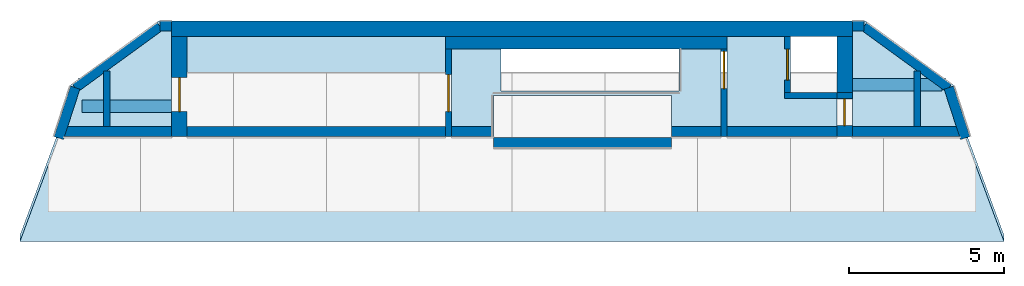
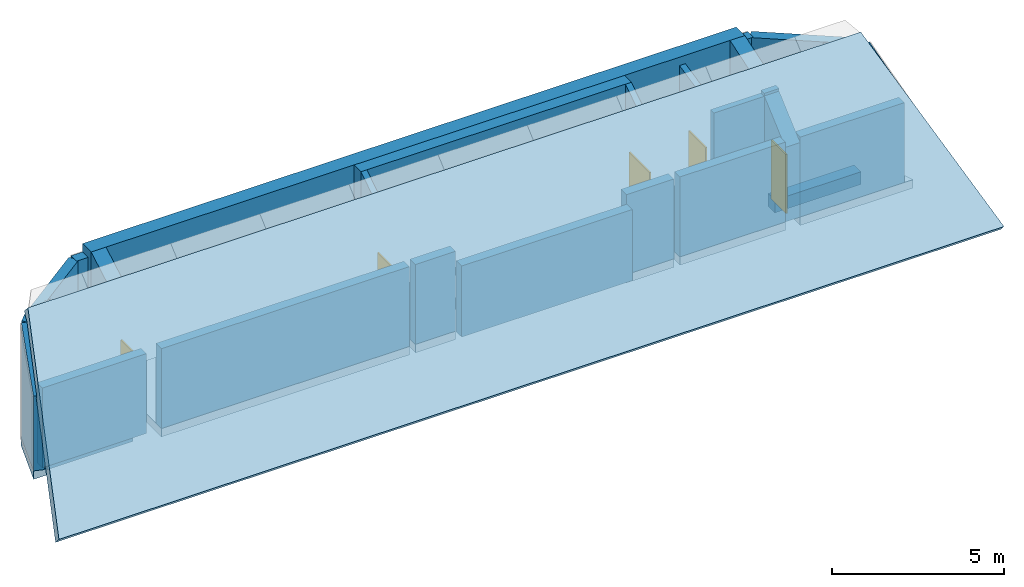
# One storey, part 1 of 2: 25 walls, 6 slabs, 5 doors, 2 beams, 5 openings.
"""IFC4 building model written with IfcOpenShell, lengths in metres."""

from ifc_helpers import new_model, si_unit, direction, frame, frame_2d, origin, origin_2d, place, context, subcontext, project, spatial, polyline, rectangle, outline, extrude, material, layer, layer_set, material_profile, profile_set, type_object, element, fill, save


model = new_model("IFC4")

# Units and contexts
model_context = context("Model", 3, precision=1e-05, world=origin(), true_north=direction((0.0, 1.0)))
body_context = subcontext(model_context, "Body", "Model", "MODEL_VIEW")
ifc_project = project(units=[si_unit("LENGTHUNIT", "METRE"), si_unit("AREAUNIT", "SQUARE_METRE"), si_unit("VOLUMEUNIT", "CUBIC_METRE"), si_unit("PLANEANGLEUNIT", "RADIAN"), si_unit("MASSUNIT", "GRAM", prefix="KILO")], contexts=[model_context])

# Site, building, storey
site_placement = place(None, origin())
site = spatial("IfcSite", under=ifc_project, at=site_placement, CompositionType="ELEMENT")
building_placement = place(site_placement, origin())
building = spatial("IfcBuilding", under=site, at=building_placement, Name="White Candle Pilgrim Tower", CompositionType="ELEMENT")
storey_placement = place(building_placement, frame((0.0, 0.0, 355.699951171875)))
storey = spatial("IfcBuildingStorey", under=building, at=storey_placement, Name="L83", CompositionType="ELEMENT", Elevation=355.699951171875)

# Beams
ifc_material_1 = material(Name="Concrete C50/60", Category="concrete")
ifc_material_profile = material_profile(ifc_material_1, rectangle(XDim=0.39990234375, YDim=0.449951171875, at=origin_2d()), Name="RC-BM 400x450")
ifc_profile_set = profile_set([ifc_material_profile], Name="Concrete C50/60")
beam_type = type_object("IfcBeamType", Name="Spandrel beam RC-BM 400x450 C50/60", PredefinedType="BEAM", material=ifc_profile_set)
for number, where, z_axis, x_axis, name in (
    (1, (59.0, 85.25, -0.52490234375), (-1.0, 0.0, 0.0), (0.0, -1.0, 0.0), "L83 bracket beam TR04"),
    (2, (81.0, 85.949951171875, -0.52490234375), (1.0, 0.0, 0.0), (0.0, 1.0, 0.0), "L83 bracket beam TR05"),
):
    element("IfcBeam", number, at=place(storey_placement, frame(where, z_axis=z_axis, x_axis=x_axis)), inside=storey, type_object=beam_type, Name=name, PredefinedType="BEAM", context=body_context, shape_type="SweptSolid", body=[
        extrude(rectangle(XDim=0.39990234375, YDim=0.449951171875, at=origin_2d()), origin(), (0.0, 0.0, 1.0), 2.89990234375),
    ])

# Slabs
ifc_material_2 = material(Name="Concrete C40/50", Category="concrete")
ifc_layer_1 = layer(ifc_material_2, 0.300048828125)
ifc_layer_set_1 = layer_set([ifc_layer_1], Name="Core floor slab 300 mm Concrete C40/50")
slab_type_1 = type_object("IfcSlabType", Name="Core floor slab 300 mm Concrete C40/50", PredefinedType="FLOOR", material=ifc_layer_set_1)
slab_1_placement = place(storey_placement, frame((0.0, 0.0, -0.300048828125)))
element("IfcSlab", 3, at=slab_1_placement, inside=storey, type_object=slab_type_1, Name="CF-L83-01", PredefinedType="FLOOR", context=body_context, shape_type="SweptSolid", body=[
    extrude(outline(polyline([(59.5, 84.27294921875), (59.5, 87.5), (67.85009765625, 87.5), (67.85009765625, 87.10009765625), (67.85009765625, 84.27294921875), (59.5, 84.27294921875)])), origin(), (0.0, 0.0, 1.0), 0.300048828125),
])
slab_2_placement = place(storey_placement, frame((0.0, 0.0, -0.300048828125)))
element("IfcSlab", 4, at=slab_2_placement, inside=storey, type_object=slab_type_1, Name="CF-L83-02", PredefinedType="FLOOR", context=body_context, shape_type="SweptSolid", body=[
    extrude(outline(polyline([(79.0, 87.5), (79.0, 85.699951171875), (80.5, 85.699951171875), (80.5, 85.5), (80.5, 84.27294921875), (76.949951171875, 84.27294921875), (76.949951171875, 87.10009765625), (76.949951171875, 87.5), (79.0, 87.5)])), origin(), (0.0, 0.0, 1.0), 0.300048828125),
])
slab_3_placement = place(storey_placement, frame((0.0, 0.0, -0.300048828125)))
element("IfcSlab", 5, at=slab_3_placement, inside=storey, type_object=slab_type_1, Name="CF-L83-03", PredefinedType="FLOOR", context=body_context, shape_type="SweptSolid", body=[
    extrude(outline(polyline([(75.14794921875, 84.27294921875), (75.14794921875, 85.597900390625), (69.402099609375, 85.597900390625), (69.402099609375, 84.27294921875), (68.050048828125, 84.27294921875), (68.050048828125, 87.10009765625), (76.75, 87.10009765625), (76.75, 84.27294921875), (75.14794921875, 84.27294921875)]), holes=[polyline([(75.39794921875, 85.751953125), (75.39794921875, 87.097900390625), (69.652099609375, 87.097900390625), (69.652099609375, 85.751953125), (75.39794921875, 85.751953125)])]), origin(), (0.0, 0.0, 1.0), 0.300048828125),
])
ifc_layer_2 = layer(ifc_material_2, 0.300048828125)
ifc_layer_set_2 = layer_set([ifc_layer_2], Name="Floor slab 300 REI 120")
slab_type_2 = type_object("IfcSlabType", Name="Floor slab 300 REI 120", PredefinedType="FLOOR", material=ifc_layer_set_2)
slab_4_placement = place(storey_placement, frame((0.0, 0.0, -0.300048828125)))
element("IfcSlab", 6, at=slab_4_placement, inside=storey, type_object=slab_type_2, Name="L83 floor slab", PredefinedType="FLOOR", context=body_context, shape_type="SweptSolid", body=[
    extrude(outline(polyline([(55.197998046875, 84.27294921875), (59.0, 84.27294921875), (59.0, 88.0), (58.56298828125, 88.0), (55.743408203125, 85.951416015625), (55.197998046875, 84.27294921875)])), origin(), (0.0, 0.0, 1.0), 0.300048828125),
])
slab_5_placement = place(storey_placement, frame((0.0, 0.0, -0.300048828125)))
element("IfcSlab", 7, at=slab_5_placement, inside=storey, type_object=slab_type_2, Name="L83 floor slab 2", PredefinedType="FLOOR", context=body_context, shape_type="SweptSolid", body=[
    extrude(outline(polyline([(81.0, 84.27294921875), (84.802001953125, 84.27294921875), (84.256591796875, 85.951416015625), (81.43701171875, 88.0), (81.0, 88.0), (81.0, 84.27294921875)])), origin(), (0.0, 0.0, 1.0), 0.300048828125),
])
ifc_layer_3 = layer(ifc_material_2, 0.300048828125)
ifc_layer_set_3 = layer_set([ifc_layer_3], Name="Roof slab 300 REI 120")
slab_type_3 = type_object("IfcSlabType", Name="Roof slab 300 REI 120", PredefinedType="ROOF", material=ifc_layer_set_3)
slab_6_placement = place(storey_placement, frame((54.120849609375, 80.948486328125, 0.056396484375), z_axis=(0.0, -0.662934835812, 0.748677102273), x_axis=(0.268789550375, 0.72112498338, 0.63853812412)))
element("IfcSlab", 8, at=slab_6_placement, inside=storey, type_object=slab_type_3, Name="Roof slab L83-01", PredefinedType="ROOF", context=body_context, shape_type="SweptSolid", body=[
    extrude(outline(polyline([(0.0, 0.0), (0.21708287875640542, -1.0408340855860843e-17), (0.4342761909681344, 0.00028428601345261567), (0.6516253962765723, 0.0006120754342405915), (0.8688843309371233, 0.0006612054590686561), (1.0860776431488521, 0.0009454914725212649), (1.3034924709061122, 0.0010381249046846897), (1.520685783117841, 0.0013224109181373123), (1.7377030394254245, 0.0015575669067618703), (1.9549619740859754, 0.0016066969315899349), (2.172311179394413, 0.00193448635237789), (2.3895701140549646, 0.00198361637720601), (2.6067634262666934, 0.0022679023906585494), (2.8241782540239533, 0.0023605358228219187), (3.0411955103315367, 0.0025956918114465877), (3.2583888225432656, 0.002879977824899127), (3.4758036503005254, 0.0029726112570626073), (3.6929969625122547, 0.0032568972705151467), (3.9102558971728056, 0.0033060272953432945), (4.127605102481244, 0.003633816716131222), (4.344864037141794, 0.003682946740959314), (4.561881293449378, 0.003918102729583928), (4.779472177110783, 0.0040598661865755), (4.9964894334183665, 0.004295022175199947), (5.213682745630096, 0.004579308188652487), (5.431097573387355, 0.004671941620815967), (5.648290885599085, 0.004956227634268506), (5.865484197810813, 0.005240513647721046), (6.082899025568073, 0.005333147079884526), (6.300092337779802, 0.005617433093337176), (6.517175216536208, 0.005617433093337287), (6.734524421844645, 0.005945222514125215), (6.951783356505196, 0.005994352538953196), (6.957508438019236, 0.006071178139313127), (14.491621787269729, -26.992187875847453), (14.486684175141553, -26.995086573311305), (14.300792771017903, -27.10754026589868), (14.114679851348725, -27.21980230590476), (13.92896450312922, -27.332206868467306), (13.743007476556752, -27.444425405066053), (13.556960179336393, -27.55692260106076), (13.371003152763924, -27.66914113765951), (13.185046126191452, -27.781359674258255), (12.998998828971093, -27.89385687025296), (12.813041802398622, -28.00607540685171), (12.627260831730297, -28.11824481342563), (12.441037478605793, -28.230791139445163), (12.25525650793747, -28.342960546019086), (12.06936510381382, -28.45541423860645), (11.883252184144641, -28.56767627861254), (11.697360780020992, -28.68012997119991), (11.511403753448523, -28.792348507798657), (11.325356456228164, -28.904845703793367), (11.139399429655693, -29.017064240392113), (10.953618458987366, -29.129233646966032), (10.767571161767009, -29.241730842960738), (10.581614135194538, -29.353949379559484), (10.395722731070888, -29.46640307214686), (10.20960981140171, -29.57866511215294), (10.02371840727806, -29.691118804740313), (9.837937436609737, -29.803288211314232), (9.651980410037265, -29.915506747912982), (9.46593311281691, -30.028003943907688), (9.279976086244435, -30.140222480506434), (9.094084682120789, -30.252676173093807), (8.907971762451607, -30.36493821309989), (8.722014735879137, -30.477156749698636), (8.536299387659634, -30.589561312261182), (8.460813302328944, -30.634959380718904), (-0.08808559550450881, -0.0002481186418055517), (0.0, 0.0)])), origin(), (0.0, 0.0, -1.0), 0.300048828125),
])

# Wall
ifc_layer_4 = layer(ifc_material_2, 0.199951171875)
ifc_layer_set_4 = layer_set([ifc_layer_4], Name="Core wall 200 mm Concrete C40/50")
wall_type_1 = type_object("IfcWallType", Name="Core wall 200 mm Concrete C40/50", PredefinedType="SHEAR", material=ifc_layer_set_4)
wall_1_placement = place(storey_placement, frame((80.5, 85.60009765625, 0.0), z_axis=(0.0, 0.0, 1.0), x_axis=(1.0, 0.0, 0.0)))
element("IfcWall", 9, at=wall_1_placement, inside=storey, type_object=wall_type_1, Name="WL-L83-C06", PredefinedType="SHEAR", context=body_context, shape_type="SweptSolid", body=[
    extrude(rectangle(XDim=0.5, YDim=0.199951171875, at=frame_2d((0.25, 0.0))), origin(), (0.0, 0.0, 1.0), 3.824951171875),
])

# Wall, opening, door
ifc_layer_5 = layer(ifc_material_2, 0.5)
ifc_layer_set_5 = layer_set([ifc_layer_5], Name="Core wall 500 mm Concrete C40/50")
wall_type_2 = type_object("IfcWallType", Name="Core wall 500 mm Concrete C40/50", PredefinedType="SHEAR", material=ifc_layer_set_5)
wall_2_placement = place(storey_placement, frame((59.25, 84.27294921875, 0.0), z_axis=(0.0, 0.0, 1.0), x_axis=(0.0, 1.0, 0.0)))
wall_2 = element("IfcWall", 10, at=wall_2_placement, inside=storey, type_object=wall_type_2, Name="WL-L83-C01", PredefinedType="SHEAR", context=body_context, shape_type="SweptSolid", body=[
    extrude(outline(polyline([(0.0, 0.0), (3.22705078125, 0.0), (3.22705078125, 4.5), (0.0, 2.650146484375), (0.0, 0.0)])), frame((0.0, 0.25, 0.0), z_axis=(0.0, -1.0, 0.0), x_axis=(1.0, 0.0, 0.0)), (0.0, 0.0, 1.0), 0.5),
])
opening_1_placement = place(wall_2_placement, frame((0.802001953125, 0.0, 0.0)))
opening_1 = element("IfcOpeningElement", 11, at=opening_1_placement, cuts=wall_2, Name="Opening L83-003", PredefinedType="OPENING", context=body_context, shape_type="SweptSolid", body=[
    extrude(rectangle(XDim=1.10009765625, YDim=2.10009765625, at=frame_2d((0.550048828125, 1.050048828125))), frame((0.0, 0.260009765625, 0.0), z_axis=(0.0, -1.0, 0.0), x_axis=(1.0, 0.0, 0.0)), (0.0, 0.0, 1.0), 0.52001953125),
])
ifc_material_3 = material(Name="Steel door leaf", Category="steel")
door_type_1 = type_object("IfcDoorType", Name="Fire door 1100 x 2100 EI 60", OperationType="NOTDEFINED", PredefinedType="DOOR", material=ifc_material_3)
door_1_placement = place(opening_1_placement, origin())
door_1 = element("IfcDoor", 12, at=door_1_placement, inside=storey, type_object=door_type_1, Name="Door L83-003", OperationType="SINGLE_SWING_RIGHT", OverallHeight=2.10009765625, OverallWidth=1.10009765625, PredefinedType="DOOR", context=body_context, shape_type="SweptSolid", body=[
    extrude(rectangle(XDim=1.10009765625, YDim=2.10009765625, at=frame_2d((0.550048828125, 1.050048828125))), frame((0.0, 0.02490234375, 0.0), z_axis=(0.0, -1.0, 0.0), x_axis=(1.0, 0.0, 0.0)), (0.0, 0.0, 1.0), 0.050048828125),
])
fill(opening_1, door_1)

wall_3_placement = place(storey_placement, frame((80.75, 84.27294921875, 0.0), z_axis=(0.0, 0.0, 1.0), x_axis=(0.0, 1.0, 0.0)))
wall_3 = element("IfcWall", 13, at=wall_3_placement, inside=storey, type_object=wall_type_2, Name="WL-L83-C04", PredefinedType="SHEAR", context=body_context, shape_type="SweptSolid", body=[
    extrude(outline(polyline([(0.0, 0.0), (1.22705078125, 0.0), (1.22705078125, 3.736328125), (0.0, 2.650146484375), (0.0, 0.0)])), frame((0.0, 0.25, 0.0), z_axis=(0.0, -1.0, 0.0), x_axis=(1.0, 0.0, 0.0)), (0.0, 0.0, 1.0), 0.5),
])
opening_2_placement = place(wall_3_placement, frame((0.35009765625, 0.0, 0.0)))
opening_2 = element("IfcOpeningElement", 14, at=opening_2_placement, cuts=wall_3, Name="Opening L83-004", PredefinedType="OPENING", context=body_context, shape_type="SweptSolid", body=[
    extrude(rectangle(XDim=0.866943359375, YDim=2.10009765625, at=frame_2d((0.43359375, 1.050048828125))), frame((0.0, 0.260009765625, 0.0), z_axis=(0.0, -1.0, 0.0), x_axis=(1.0, 0.0, 0.0)), (0.0, 0.0, 1.0), 0.52001953125),
])
door_type_2 = type_object("IfcDoorType", Name="Fire door 867 x 2100 EI 30", OperationType="NOTDEFINED", PredefinedType="DOOR", material=ifc_material_3)
door_2_placement = place(opening_2_placement, origin())
door_2 = element("IfcDoor", 15, at=door_2_placement, inside=storey, type_object=door_type_2, Name="Door L83-004", OperationType="SINGLE_SWING_LEFT", OverallHeight=2.10009765625, OverallWidth=0.866943359375, PredefinedType="DOOR", context=body_context, shape_type="SweptSolid", body=[
    extrude(rectangle(XDim=0.866943359375, YDim=2.10009765625, at=frame_2d((0.43359375, 1.050048828125))), frame((0.0, 0.02490234375, 0.0), z_axis=(0.0, -1.0, 0.0), x_axis=(1.0, 0.0, 0.0)), (0.0, 0.0, 1.0), 0.050048828125),
])
fill(opening_2, door_2)

# Walls
wall_4_placement = place(storey_placement, frame((80.75, 85.699951171875, 0.0), z_axis=(0.0, 0.0, 1.0), x_axis=(0.0, 1.0, 0.0)))
element("IfcWall", 16, at=wall_4_placement, inside=storey, type_object=wall_type_2, Name="WL-L83-C08", PredefinedType="SHEAR", context=body_context, shape_type="SweptSolid", body=[
    extrude(outline(polyline([(0.0, 0.0), (1.800048828125, 0.0), (1.800048828125, 4.5), (0.0, 3.91357421875), (0.0, 0.0)])), frame((0.0, 0.25, 0.0), z_axis=(0.0, -1.0, 0.0), x_axis=(1.0, 0.0, 0.0)), (0.0, 0.0, 1.0), 0.5),
])
wall_5_placement = place(storey_placement, frame((59.0, 87.75, 0.0), z_axis=(0.0, 0.0, 1.0), x_axis=(1.0, 0.0, 0.0)))
element("IfcWall", 17, at=wall_5_placement, inside=storey, type_object=wall_type_2, Name="WL-L83-C10", PredefinedType="SHEAR", context=body_context, shape_type="SweptSolid", body=[
    extrude(rectangle(XDim=22.0, YDim=0.5, at=frame_2d((11.0, 0.0))), origin(), (0.0, 0.0, 1.0), 4.5),
])
ifc_material_4 = material(Name="Gypsum board on steel studs", Category="steel")
ifc_layer_6 = layer(ifc_material_4, 0.199951171875)
ifc_layer_set_6 = layer_set([ifc_layer_6], Name="Corridor wall 200 mm EI 45")
wall_type_3 = type_object("IfcWallType", Name="Corridor wall 200 mm EI 45", PredefinedType="PARTITIONING", material=ifc_layer_set_6)
wall_6_placement = place(storey_placement, frame((56.89990234375, 84.593017578125, 0.0), z_axis=(0.0, 0.0, 1.0), x_axis=(0.0, 1.0, 0.0)))
element("IfcWall", 18, at=wall_6_placement, inside=storey, type_object=wall_type_3, Name="WL-L83-P001", PredefinedType="PARTITIONING", context=body_context, shape_type="SweptSolid", body=[
    extrude(outline(polyline([(0.0, 0.0), (1.80322265625, 0.0), (1.80322265625, 4.199951171875), (0.0, 2.833251953125), (0.0, 0.0)])), frame((0.0, 0.10009765625, 0.0), z_axis=(0.0, -1.0, 0.0), x_axis=(1.0, 0.0, 0.0)), (0.0, 0.0, 1.0), 0.199951171875),
])
wall_7_placement = place(storey_placement, frame((83.10009765625, 86.396240234375, 0.0), z_axis=(0.0, 0.0, 1.0), x_axis=(0.0, -1.0, 0.0)))
element("IfcWall", 19, at=wall_7_placement, inside=storey, type_object=wall_type_3, Name="WL-L83-P002", PredefinedType="PARTITIONING", context=body_context, shape_type="SweptSolid", body=[
    extrude(outline(polyline([(0.0, 0.0), (1.80322265625, 0.0), (1.80322265625, 2.833251953125), (0.0, 4.199951171875), (0.0, 0.0)])), frame((0.0, 0.10009765625, 0.0), z_axis=(0.0, -1.0, 0.0), x_axis=(1.0, 0.0, 0.0)), (0.0, 0.0, 1.0), 0.199951171875),
])
ifc_material_5 = material(Name="Precast concrete C40/50", Category="concrete")
ifc_layer_7 = layer(ifc_material_5, 0.320068359375)
ifc_layer_set_7 = layer_set([ifc_layer_7], Name="Facade wall EW4 precast concrete C40/50 crown wall with zinc cladding")
wall_type_4 = type_object("IfcWallType", Name="Facade wall EW4 precast concrete C40/50 crown wall with zinc cladding", PredefinedType="SOLIDWALL", material=ifc_layer_set_7)
wall_8_placement = place(storey_placement, frame((84.649658203125, 84.2236328125, 0.0), z_axis=(0.0, 0.0, 1.0), x_axis=(-0.309034501563, 0.951050827687, 0.0)))
element("IfcWall", 20, at=wall_8_placement, inside=storey, type_object=wall_type_4, Name="Crown wall L83 ENE", PredefinedType="SOLIDWALL", context=body_context, shape_type="SweptSolid", body=[
    extrude(outline(polyline([(0.0, 0.0), (1.712646484375, 0.0), (1.712890625, 4.0986328125), (0.0, 2.65625), (0.0, 0.0)])), frame((0.0, 0.16015625, 0.0), z_axis=(0.0, -1.0, 0.0), x_axis=(1.0, 0.0, 0.0)), (0.0, 0.0, 1.0), 0.320068359375),
])
wall_9_placement = place(storey_placement, frame((84.120361328125, 85.8525390625, 0.0), z_axis=(0.0, 0.0, 1.0), x_axis=(-0.808988923467, 0.587823886643, 0.0)))
element("IfcWall", 21, at=wall_9_placement, inside=storey, type_object=wall_type_4, Name="Crown wall L83 NE chamfer", PredefinedType="SOLIDWALL", context=body_context, shape_type="SweptSolid", body=[
    extrude(outline(polyline([(0.0, 0.0), (3.381103515625, 0.0), (3.381103515625, 4.199951171875), (0.194580078125, 4.199951171875), (0.0, 4.0986328125), (0.0, 0.0)])), frame((0.0, 0.16015625, 0.0), z_axis=(0.0, -1.0, 0.0), x_axis=(1.0, 0.0, 0.0)), (0.0, 0.0, 1.0), 0.320068359375),
])
for number, where, z_axis, x_axis, name in (
    (22, (81.385009765625, 87.840087890625, 0.0), (0.0, 0.0, 1.0), (-1.0, 0.0, 0.0), "Crown wall L83 N"),
    (23, (59.0, 87.840087890625, 0.0), (0.0, 0.0, 1.0), (-1.0, 0.0, 0.0), "Crown wall L83 N"),
):
    element("IfcWall", number, at=place(storey_placement, frame(where, z_axis=z_axis, x_axis=x_axis)), inside=storey, type_object=wall_type_4, Name=name, PredefinedType="SOLIDWALL", context=body_context, shape_type="SweptSolid", body=[
        extrude(rectangle(XDim=0.385009765625, YDim=0.320068359375, at=frame_2d((0.1923828125, 0.0))), origin(), (0.0, 0.0, 1.0), 4.199951171875),
    ])
wall_10_placement = place(storey_placement, frame((58.614990234375, 87.840087890625, 0.0), z_axis=(0.0, 0.0, 1.0), x_axis=(-0.808988923467, -0.587823886643, 0.0)))
element("IfcWall", 24, at=wall_10_placement, inside=storey, type_object=wall_type_4, Name="Crown wall L83 NW chamfer", PredefinedType="SOLIDWALL", context=body_context, shape_type="SweptSolid", body=[
    extrude(outline(polyline([(0.0, 0.0), (3.381103515625, 0.0), (3.381103515625, 4.0986328125), (3.186279296875, 4.199951171875), (0.0, 4.199951171875), (0.0, 0.0)])), frame((0.0, 0.16015625, 0.0), z_axis=(0.0, -1.0, 0.0), x_axis=(1.0, 0.0, 0.0)), (0.0, 0.0, 1.0), 0.320068359375),
])
wall_11_placement = place(storey_placement, frame((55.879638671875, 85.8525390625, 0.0), z_axis=(0.0, 0.0, 1.0), x_axis=(-0.309034501563, -0.951050827687, 0.0)))
element("IfcWall", 25, at=wall_11_placement, inside=storey, type_object=wall_type_4, Name="Crown wall L83 WNW", PredefinedType="SOLIDWALL", context=body_context, shape_type="SweptSolid", body=[
    extrude(outline(polyline([(0.0, 0.0), (1.712646484375, 0.0), (1.712890625, 2.65625), (0.0, 4.0986328125), (0.0, 0.0)])), frame((0.0, 0.16015625, 0.0), z_axis=(0.0, -1.0, 0.0), x_axis=(1.0, 0.0, 0.0)), (0.0, 0.0, 1.0), 0.320068359375),
])
wall_12_placement = place(storey_placement, frame((55.491943359375, 84.43310546875, 0.0), z_axis=(0.0, 0.0, 1.0), x_axis=(1.0, 0.0, 0.0)))
element("IfcWall", 26, at=wall_12_placement, inside=storey, type_object=wall_type_4, Name="Crown wall L83 S", PredefinedType="SOLIDWALL", context=body_context, shape_type="SweptSolid", body=[
    extrude(rectangle(XDim=3.508056640625, YDim=0.320068359375, at=frame_2d((1.75390625, 0.0))), origin(), (0.0, 0.0, 1.0), 2.841796875),
])
wall_13_placement = place(storey_placement, frame((59.5, 84.43310546875, 0.0), z_axis=(0.0, 0.0, 1.0), x_axis=(1.0, 0.0, 0.0)))
element("IfcWall", 27, at=wall_13_placement, inside=storey, type_object=wall_type_4, Name="Crown wall L83 S", PredefinedType="SOLIDWALL", context=body_context, shape_type="SweptSolid", body=[
    extrude(rectangle(XDim=8.35009765625, YDim=0.320068359375, at=frame_2d((4.175048828125, 0.0))), origin(), (0.0, 0.0, 1.0), 2.841796875),
])
wall_14_placement = place(storey_placement, frame((68.050048828125, 84.43310546875, 0.0), z_axis=(0.0, 0.0, 1.0), x_axis=(1.0, 0.0, 0.0)))
element("IfcWall", 28, at=wall_14_placement, inside=storey, type_object=wall_type_4, Name="Crown wall L83 S", PredefinedType="SOLIDWALL", context=body_context, shape_type="SweptSolid", body=[
    extrude(rectangle(XDim=1.35205078125, YDim=0.320068359375, at=frame_2d((0.676025390625, 0.0))), origin(), (0.0, 0.0, 1.0), 2.841796875),
])
wall_15_placement = place(storey_placement, frame((75.14794921875, 84.43310546875, 0.0), z_axis=(0.0, 0.0, 1.0), x_axis=(1.0, 0.0, 0.0)))
element("IfcWall", 29, at=wall_15_placement, inside=storey, type_object=wall_type_4, Name="Crown wall L83 S", PredefinedType="SOLIDWALL", context=body_context, shape_type="SweptSolid", body=[
    extrude(rectangle(XDim=1.60205078125, YDim=0.320068359375, at=frame_2d((0.801025390625, 0.0))), origin(), (0.0, 0.0, 1.0), 2.841796875),
])
wall_16_placement = place(storey_placement, frame((76.949951171875, 84.43310546875, 0.0), z_axis=(0.0, 0.0, 1.0), x_axis=(1.0, 0.0, 0.0)))
element("IfcWall", 30, at=wall_16_placement, inside=storey, type_object=wall_type_4, Name="Crown wall L83 S", PredefinedType="SOLIDWALL", context=body_context, shape_type="SweptSolid", body=[
    extrude(rectangle(XDim=3.550048828125, YDim=0.320068359375, at=frame_2d((1.77490234375, 0.0))), origin(), (0.0, 0.0, 1.0), 2.841796875),
])
wall_17_placement = place(storey_placement, frame((81.0, 84.43310546875, 0.0), z_axis=(0.0, 0.0, 1.0), x_axis=(1.0, 0.0, 0.0)))
element("IfcWall", 31, at=wall_17_placement, inside=storey, type_object=wall_type_4, Name="Crown wall L83 S", PredefinedType="SOLIDWALL", context=body_context, shape_type="SweptSolid", body=[
    extrude(rectangle(XDim=3.508056640625, YDim=0.320068359375, at=frame_2d((1.75390625, 0.0))), origin(), (0.0, 0.0, 1.0), 2.841796875),
])
wall_18_placement = place(storey_placement, frame((69.402099609375, 84.080078125, 0.0), z_axis=(0.0, 0.0, 1.0), x_axis=(1.0, 0.0, 0.0)))
element("IfcWall", 32, at=wall_18_placement, inside=storey, type_object=wall_type_4, Name="Crown wall L83 S", PredefinedType="SOLIDWALL", context=body_context, shape_type="SweptSolid", body=[
    extrude(rectangle(XDim=5.745849609375, YDim=0.320068359375, at=frame_2d((2.873046875, 0.0))), origin(), (0.0, 0.0, 1.0), 2.529052734375),
])
ifc_material_6 = material(Name="Aerated concrete block", Category="concrete")
ifc_layer_8 = layer(ifc_material_6, 0.199951171875)
ifc_layer_set_8 = layer_set([ifc_layer_8], Name="Lift shaft wall 200 mm REI 240")
wall_type_5 = type_object("IfcWallType", Name="Lift shaft wall 200 mm REI 240", PredefinedType="PARTITIONING", material=ifc_layer_set_8)
wall_19_placement = place(storey_placement, frame((78.800048828125, 85.60009765625, 0.0), z_axis=(0.0, 0.0, 1.0), x_axis=(1.0, 0.0, 0.0)))
element("IfcWall", 33, at=wall_19_placement, inside=storey, type_object=wall_type_5, Name="WL-L83-C05", PredefinedType="PARTITIONING", context=body_context, shape_type="SweptSolid", body=[
    extrude(rectangle(XDim=1.699951171875, YDim=0.199951171875, at=frame_2d((0.85009765625, 0.0))), origin(), (0.0, 0.0, 1.0), 3.724853515625),
])

# Wall, opening, door
wall_20_placement = place(storey_placement, frame((78.89990234375, 85.699951171875, 0.0), z_axis=(0.0, 0.0, 1.0), x_axis=(0.0, 1.0, 0.0)))
wall_20 = element("IfcWall", 34, at=wall_20_placement, inside=storey, type_object=wall_type_5, Name="WL-L83-C07", PredefinedType="PARTITIONING", context=body_context, shape_type="SweptSolid", body=[
    extrude(outline(polyline([(0.0, 0.0), (1.800048828125, 0.0), (1.800048828125, 4.199951171875), (0.0, 3.8134765625), (0.0, 0.0)])), frame((0.0, 0.10009765625, 0.0), z_axis=(0.0, -1.0, 0.0), x_axis=(1.0, 0.0, 0.0)), (0.0, 0.0, 1.0), 0.199951171875),
])
opening_3_placement = place(wall_20_placement, frame((0.39990234375, 0.0, 0.0)))
opening_3 = element("IfcOpeningElement", 35, at=opening_3_placement, cuts=wall_20, Name="Opening L83-005", PredefinedType="OPENING", context=body_context, shape_type="SweptSolid", body=[
    extrude(rectangle(XDim=1.0, YDim=2.10009765625, at=frame_2d((0.5, 1.050048828125))), frame((0.0, 0.10986328125, 0.0), z_axis=(0.0, -1.0, 0.0), x_axis=(1.0, 0.0, 0.0)), (0.0, 0.0, 1.0), 0.219970703125),
])
ifc_material_7 = material(Name="Stainless steel", Category="steel")
door_type_3 = type_object("IfcDoorType", Name="Lift landing door 1000 x 2100 E 60", OperationType="DOUBLE_DOOR_SLIDING", PredefinedType="DOOR", material=ifc_material_7)
door_3_placement = place(opening_3_placement, origin())
door_3 = element("IfcDoor", 36, at=door_3_placement, inside=storey, type_object=door_type_3, Name="Door L83-005", OperationType="DOUBLE_DOOR_SLIDING", OverallHeight=2.10009765625, OverallWidth=1.0, PredefinedType="DOOR", context=body_context, shape_type="SweptSolid", body=[
    extrude(rectangle(XDim=1.0, YDim=2.10009765625, at=frame_2d((0.5, 1.050048828125))), frame((0.0, 0.02490234375, 0.0), z_axis=(0.0, -1.0, 0.0), x_axis=(1.0, 0.0, 0.0)), (0.0, 0.0, 1.0), 0.050048828125),
])
fill(opening_3, door_3)

ifc_layer_9 = layer(ifc_material_2, 0.199951171875)
ifc_layer_set_9 = layer_set([ifc_layer_9], Name="Stair shaft wall 200 mm Concrete C40/50")
wall_type_6 = type_object("IfcWallType", Name="Stair shaft wall 200 mm Concrete C40/50", PredefinedType="SHEAR", material=ifc_layer_set_9)
wall_21_placement = place(storey_placement, frame((67.949951171875, 84.27294921875, 0.0), z_axis=(0.0, 0.0, 1.0), x_axis=(0.0, 1.0, 0.0)))
wall_21 = element("IfcWall", 37, at=wall_21_placement, inside=storey, type_object=wall_type_6, Name="WL-L83-C02", PredefinedType="SHEAR", context=body_context, shape_type="SweptSolid", body=[
    extrude(outline(polyline([(0.0, 0.0), (2.8271484375, 0.0), (2.826904296875, 4.5), (0.0, 2.650146484375), (0.0, 0.0)])), frame((0.0, 0.10009765625, 0.0), z_axis=(0.0, -1.0, 0.0), x_axis=(1.0, 0.0, 0.0)), (0.0, 0.0, 1.0), 0.199951171875),
])
opening_4_placement = place(wall_21_placement, frame((0.802001953125, 0.0, 0.0)))
opening_4 = element("IfcOpeningElement", 38, at=opening_4_placement, cuts=wall_21, Name="Opening L83-001", PredefinedType="OPENING", context=body_context, shape_type="SweptSolid", body=[
    extrude(rectangle(XDim=1.199951171875, YDim=2.10009765625, at=frame_2d((0.60009765625, 1.050048828125))), frame((0.0, 0.10986328125, 0.0), z_axis=(0.0, -1.0, 0.0), x_axis=(1.0, 0.0, 0.0)), (0.0, 0.0, 1.0), 0.219970703125),
])
door_type_4 = type_object("IfcDoorType", Name="Fire door 1200 x 2100 EI 60", OperationType="NOTDEFINED", PredefinedType="DOOR", material=ifc_material_3)
door_4_placement = place(opening_4_placement, frame((1.199951171875, 0.0, 0.0), z_axis=(0.0, 0.0, 1.0), x_axis=(-1.0, 0.0, 0.0)))
door_4 = element("IfcDoor", 39, at=door_4_placement, inside=storey, type_object=door_type_4, Name="Door L83-001", OperationType="SINGLE_SWING_RIGHT", OverallHeight=2.10009765625, OverallWidth=1.199951171875, PredefinedType="DOOR", context=body_context, shape_type="SweptSolid", body=[
    extrude(rectangle(XDim=1.199951171875, YDim=2.10009765625, at=frame_2d((0.60009765625, 1.050048828125))), frame((0.0, 0.02490234375, 0.0), z_axis=(0.0, -1.0, 0.0), x_axis=(1.0, 0.0, 0.0)), (0.0, 0.0, 1.0), 0.050048828125),
])
fill(opening_4, door_4)

wall_22_placement = place(storey_placement, frame((76.85009765625, 84.27294921875, 0.0), z_axis=(0.0, 0.0, 1.0), x_axis=(0.0, 1.0, 0.0)))
wall_22 = element("IfcWall", 40, at=wall_22_placement, inside=storey, type_object=wall_type_6, Name="WL-L83-C03", PredefinedType="SHEAR", context=body_context, shape_type="SweptSolid", body=[
    extrude(outline(polyline([(0.0, 0.0), (2.8271484375, 0.0), (2.826904296875, 4.5), (0.0, 2.650146484375), (0.0, 0.0)])), frame((0.0, 0.10009765625, 0.0), z_axis=(0.0, -1.0, 0.0), x_axis=(1.0, 0.0, 0.0)), (0.0, 0.0, 1.0), 0.199951171875),
])
opening_5_placement = place(wall_22_placement, frame((1.552001953125, 0.0, 0.0)))
opening_5 = element("IfcOpeningElement", 41, at=opening_5_placement, cuts=wall_22, Name="Opening L83-002", PredefinedType="OPENING", context=body_context, shape_type="SweptSolid", body=[
    extrude(rectangle(XDim=1.199951171875, YDim=2.10009765625, at=frame_2d((0.60009765625, 1.050048828125))), frame((0.0, 0.10986328125, 0.0), z_axis=(0.0, -1.0, 0.0), x_axis=(1.0, 0.0, 0.0)), (0.0, 0.0, 1.0), 0.219970703125),
])
door_5_placement = place(opening_5_placement, origin())
door_5 = element("IfcDoor", 42, at=door_5_placement, inside=storey, type_object=door_type_4, Name="Door L83-002", OperationType="SINGLE_SWING_RIGHT", OverallHeight=2.10009765625, OverallWidth=1.199951171875, PredefinedType="DOOR", context=body_context, shape_type="SweptSolid", body=[
    extrude(rectangle(XDim=1.199951171875, YDim=2.10009765625, at=frame_2d((0.60009765625, 1.050048828125))), frame((0.0, 0.02490234375, 0.0), z_axis=(0.0, -1.0, 0.0), x_axis=(1.0, 0.0, 0.0)), (0.0, 0.0, 1.0), 0.050048828125),
])
fill(opening_5, door_5)

# Wall
ifc_layer_10 = layer(ifc_material_2, 0.39990234375)
ifc_layer_set_10 = layer_set([ifc_layer_10], Name="Stair shaft wall 400 mm Concrete C40/50")
wall_type_7 = type_object("IfcWallType", Name="Stair shaft wall 400 mm Concrete C40/50", PredefinedType="SHEAR", material=ifc_layer_set_10)
wall_23_placement = place(storey_placement, frame((67.85009765625, 87.300048828125, 0.0), z_axis=(0.0, 0.0, 1.0), x_axis=(1.0, 0.0, 0.0)))
element("IfcWall", 43, at=wall_23_placement, inside=storey, type_object=wall_type_7, Name="WL-L83-C09", PredefinedType="SHEAR", context=body_context, shape_type="SweptSolid", body=[
    extrude(rectangle(XDim=9.099853515625, YDim=0.39990234375, at=frame_2d((4.5498046875, 0.0))), origin(), (0.0, 0.0, 1.0), 4.5),
])

save(model, "model.ifc")
